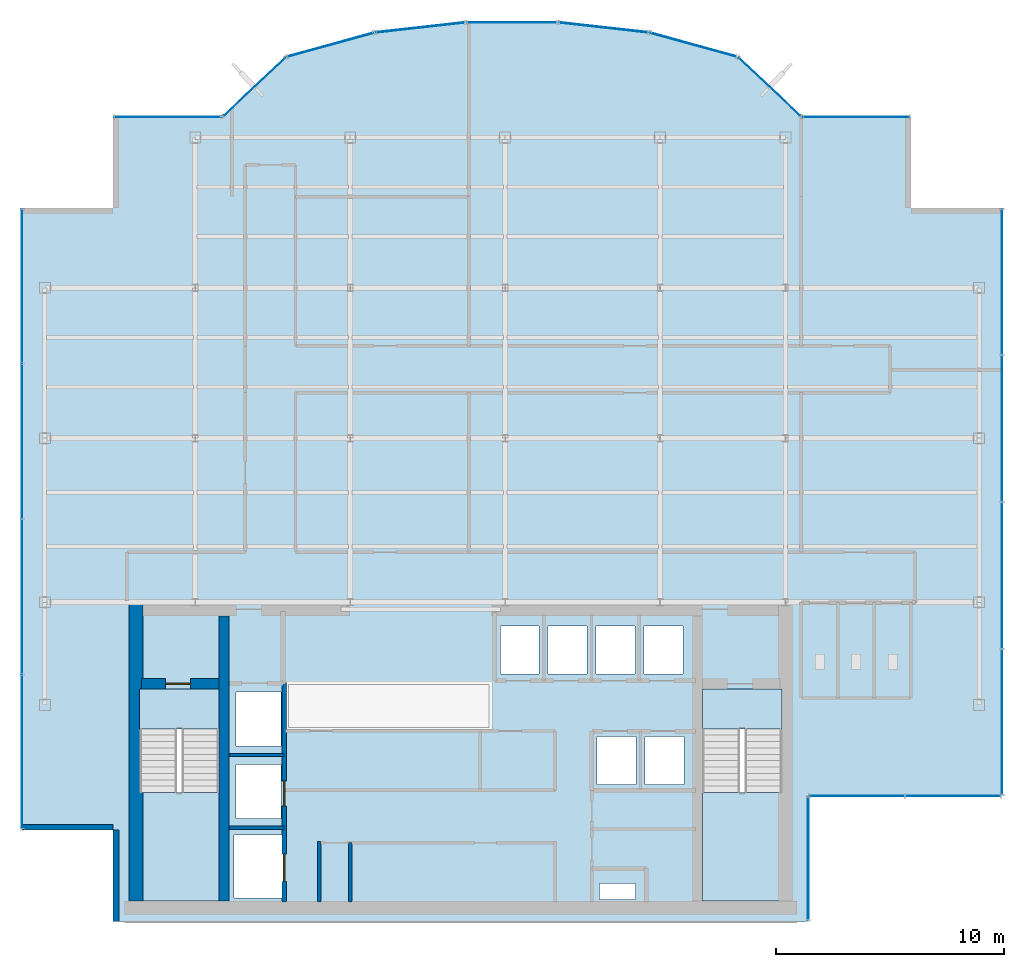
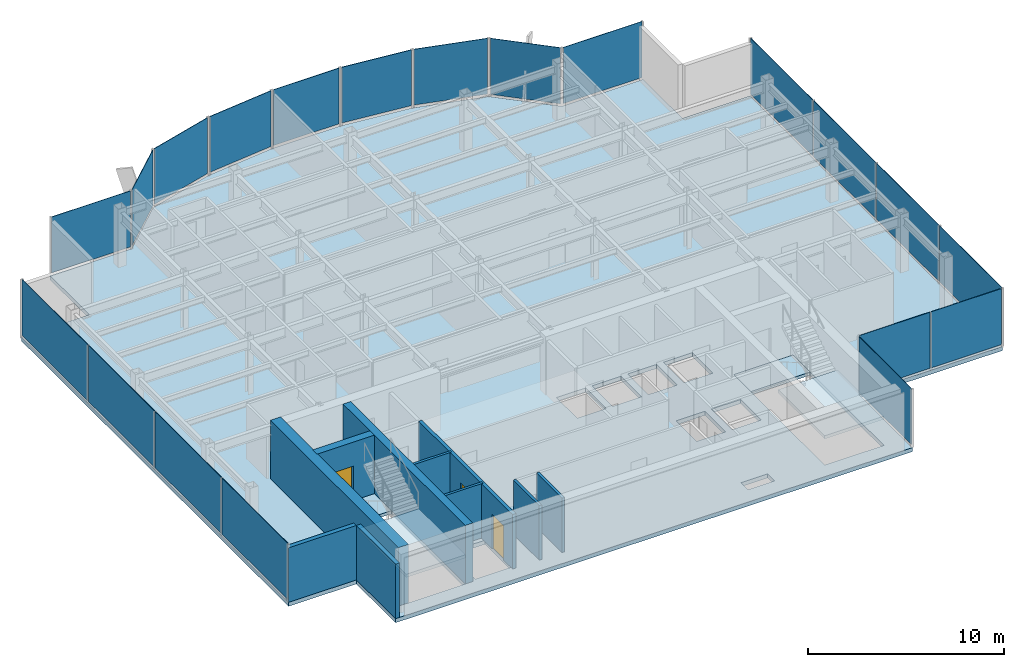
# One storey, part 16 of 22: 20 plates, 10 walls, 5 slabs, 3 doors, 3 openings, 15 elements without a shape of their own.
"""IFC4 building model written with IfcOpenShell, lengths in metres."""

from ifc_helpers import new_model, si_unit, derived_unit, direction, frame, frame_2d, origin, origin_2d, place, context, subcontext, project, spatial, polyline, rectangle, outline, extrude, source, transform, mapped, material, layer, layer_set, type_object, element, fill, aggregate, save


model = new_model("IFC4")

# Units and contexts
model_context = context("Model", 3, precision=1e-05, world=origin(), true_north=direction((0.0, 1.0)))
body_context = subcontext(model_context, "Body", "Model", "MODEL_VIEW")
ifc_project = project(units=[si_unit("LENGTHUNIT", "METRE"), si_unit("AREAUNIT", "SQUARE_METRE"), si_unit("VOLUMEUNIT", "CUBIC_METRE"), si_unit("PLANEANGLEUNIT", "RADIAN"), si_unit("MASSUNIT", "GRAM", prefix="KILO"), derived_unit("THERMALTRANSMITTANCEUNIT", [(si_unit("POWERUNIT", "WATT"), 1), (si_unit("LENGTHUNIT", "METRE"), -2), (si_unit("THERMODYNAMICTEMPERATUREUNIT", "KELVIN"), -1)])], contexts=[model_context])

# Site, building, storey
site_placement = place(None, origin())
site = spatial("IfcSite", under=ifc_project, at=site_placement, CompositionType="ELEMENT")
building_placement = place(site_placement, origin())
building = spatial("IfcBuilding", under=site, at=building_placement, Name="Skarnbrae Concourse Arena and Tower", CompositionType="ELEMENT")
storey_placement = place(building_placement, frame((0.0, 0.0, 210.5)))
storey = spatial("IfcBuildingStorey", under=building, at=storey_placement, Name="L54", CompositionType="ELEMENT", Elevation=210.5)

# Stair, slab
ifc_material_1 = material(Name="Concrete 40 MPa (C40/50)", Category="concrete")
stair_type = type_object("IfcStairType", Name="STAIR-DOGLEG-1650", PredefinedType="HALF_TURN_STAIR", material=ifc_material_1)
stair_1_placement = place(storey_placement, origin())
stair_1 = element("IfcStair", 1, at=stair_1_placement, inside=storey, type_object=stair_type, Name="L54 Protected Exit Stair ST-1", PredefinedType="HALF_TURN_STAIR")
ifc_layer_1 = layer(ifc_material_1, 0.199951171875)
ifc_layer_set_1 = layer_set([ifc_layer_1], Name="Concrete 40 MPa (C40/50)")
slab_type_1 = type_object("IfcSlabType", Name="SLAB-LANDING-200", PredefinedType="LANDING", material=ifc_layer_set_1)
slab_1_placement = place(storey_placement, frame((0.0, 0.0, 1.625)))
slab_1 = element("IfcSlab", 2, at=slab_1_placement, type_object=slab_type_1, Name="ST-1 landing 1", PredefinedType="LANDING", context=body_context, shape_type="SweptSolid", body=[
    extrude(outline(polyline([(5.14990234375, 5.64990234375), (5.14990234375, 0.89990234375), (8.64990234375, 0.89990234375), (8.64990234375, 5.64990234375), (5.14990234375, 5.64990234375)])), origin(), (0.0, 0.0, 1.0), 0.199951171875),
])
aggregate(stair_1, [slab_1])

stair_2_placement = place(storey_placement, origin())
stair_2 = element("IfcStair", 3, at=stair_2_placement, inside=storey, type_object=stair_type, Name="L54 Protected Exit Stair ST-2", PredefinedType="HALF_TURN_STAIR")
slab_2_placement = place(storey_placement, frame((0.0, 0.0, 1.625)))
slab_2 = element("IfcSlab", 4, at=slab_2_placement, type_object=slab_type_1, Name="ST-2 landing 1", PredefinedType="LANDING", context=body_context, shape_type="SweptSolid", body=[
    extrude(outline(polyline([(29.85009765625, 5.64990234375), (29.85009765625, 0.89990234375), (33.35009765625, 0.89990234375), (33.35009765625, 5.64990234375), (29.85009765625, 5.64990234375)])), origin(), (0.0, 0.0, 1.0), 0.199951171875),
])
aggregate(stair_2, [slab_2])

# Slabs
slab_3_placement = place(storey_placement, frame((0.0, 0.0, -0.199951171875)))
element("IfcSlab", 5, at=slab_3_placement, inside=storey, type_object=slab_type_1, Name="L54 Core stair ST1 floor landing", PredefinedType="LANDING", context=body_context, shape_type="SweptSolid", body=[
    extrude(outline(polyline([(5.14990234375, 10.199951171875), (5.14990234375, 8.449951171875), (8.64990234375, 8.449951171875), (8.64990234375, 10.199951171875), (5.14990234375, 10.199951171875)])), origin(), (0.0, 0.0, 1.0), 0.199951171875),
])
slab_4_placement = place(storey_placement, frame((0.0, 0.0, -0.199951171875)))
element("IfcSlab", 6, at=slab_4_placement, inside=storey, type_object=slab_type_1, Name="L54 Core stair ST2 floor landing", PredefinedType="LANDING", context=body_context, shape_type="SweptSolid", body=[
    extrude(outline(polyline([(29.85009765625, 10.199951171875), (29.85009765625, 8.449951171875), (33.35009765625, 8.449951171875), (33.35009765625, 10.199951171875), (29.85009765625, 10.199951171875)])), origin(), (0.0, 0.0, 1.0), 0.199951171875),
])
ifc_layer_2 = layer(ifc_material_1, 0.25)
ifc_layer_set_2 = layer_set([ifc_layer_2], Name="Concrete 40 MPa (C40/50)")
slab_type_2 = type_object("IfcSlabType", Name="SLAB-TOWER-250", PredefinedType="FLOOR", material=ifc_layer_set_2)
slab_5_placement = place(storey_placement, frame((0.0, 0.0, -0.25)))
element("IfcSlab", 7, at=slab_5_placement, inside=storey, type_object=slab_type_2, Name="L54 Structural floor slab", PredefinedType="FLOOR", context=body_context, shape_type="SweptSolid", body=[
    extrude(outline(polyline([(4.0, 0.0), (34.5, 0.0), (34.5, 5.5), (43.0, 5.5), (43.0, 31.300048828125), (39.0, 31.300048828125), (39.0, 35.300048828125), (34.199951171875, 35.300048828125), (31.40966796875, 37.9267578125), (27.52587890625, 38.9970703125), (23.51708984375, 39.44677734375), (19.48291015625, 39.44677734375), (15.47412109375, 38.9970703125), (11.59033203125, 37.9267578125), (8.800048828125, 35.300048828125), (4.0, 35.300048828125), (4.0, 31.300048828125), (0.0, 31.300048828125), (0.0, 4.0), (4.0, 4.0), (4.0, 0.0)]), holes=[polyline([(9.294921875, 1.02001953125), (9.294921875, 3.780029296875), (11.455078125, 3.780029296875), (11.455078125, 1.02001953125), (9.294921875, 1.02001953125)]), polyline([(8.64990234375, 10.199951171875), (8.64990234375, 0.89990234375), (5.14990234375, 0.89990234375), (5.14990234375, 10.199951171875), (8.64990234375, 10.199951171875)]), polyline([(9.39501953125, 6.8798828125), (11.35498046875, 6.8798828125), (11.35498046875, 4.52001953125), (9.39501953125, 4.52001953125), (9.39501953125, 6.8798828125)]), polyline([(9.39501953125, 7.695068359375), (9.39501953125, 10.054931640625), (11.35498046875, 10.054931640625), (11.35498046875, 7.695068359375), (9.39501953125, 7.695068359375)]), polyline([(20.985107421875, 12.955078125), (22.695068359375, 12.955078125), (22.695068359375, 10.844970703125), (20.985107421875, 10.844970703125), (20.985107421875, 12.955078125)]), polyline([(23.0849609375, 12.955078125), (24.794921875, 12.955078125), (24.794921875, 10.844970703125), (23.0849609375, 10.844970703125), (23.0849609375, 12.955078125)]), polyline([(25.35009765625, 0.949951171875), (25.35009765625, 1.669921875), (26.919921875, 1.669921875), (26.919921875, 0.949951171875), (25.35009765625, 0.949951171875)]), polyline([(33.35009765625, 10.199951171875), (33.35009765625, 0.89990234375), (29.85009765625, 0.89990234375), (29.85009765625, 10.199951171875), (33.35009765625, 10.199951171875)]), polyline([(25.235107421875, 8.10498046875), (26.945068359375, 8.10498046875), (26.945068359375, 5.9951171875), (25.235107421875, 5.9951171875), (25.235107421875, 8.10498046875)]), polyline([(27.3349609375, 5.9951171875), (27.3349609375, 8.10498046875), (29.044921875, 8.10498046875), (29.044921875, 5.9951171875), (27.3349609375, 5.9951171875)]), polyline([(25.18505859375, 12.955078125), (26.89501953125, 12.955078125), (26.89501953125, 10.844970703125), (25.18505859375, 10.844970703125), (25.18505859375, 12.955078125)]), polyline([(27.284912109375, 12.955078125), (28.9951171875, 12.955078125), (28.9951171875, 10.844970703125), (27.284912109375, 10.844970703125), (27.284912109375, 12.955078125)])]), origin(), (0.0, 0.0, 1.0), 0.25),
])

# Curtain wall, plate
ifc_material_2 = material(Name="Bronze anodised aluminium 6063-T6", Category="aluminium")
curtain_wall_type_1 = type_object("IfcCurtainWallType", Name="CW-SYS-05-HIGHZONE", PredefinedType="USERDEFINED", material=ifc_material_2)
curtain_wall_1_placement = place(storey_placement, origin())
curtain_wall_1 = element("IfcCurtainWall", 8, at=curtain_wall_1_placement, inside=storey, type_object=curtain_wall_type_1, Name="L54 Unitised curtain wall CW-L54-E02", ObjectType="UNITISED CURTAIN WALL", PredefinedType="USERDEFINED")
ifc_material_3 = material(Name="Low-E triple insulating glass", Category="glass")
ifc_layer_3 = layer(ifc_material_3, 0.030029296875)
ifc_layer_set_3 = layer_set([ifc_layer_3], Name="Low-E triple insulating glass")
plate_type_1 = type_object("IfcPlateType", Name="CWP-CW-05", PredefinedType="CURTAIN_PANEL", material=ifc_layer_set_3)
shared_shape_1 = source(origin(), body_context, "Body", "SweptSolid", [
    extrude(rectangle(XDim=5.35009765625, YDim=0.030029296875, at=origin_2d()), origin(), (0.0, 0.0, 1.0), 3.5),
])
plate_1_placement = place(storey_placement, frame((34.5, 2.75, 0.14990234375), z_axis=(0.0, 0.0, 1.0), x_axis=(0.0, 1.0, 0.0)))
plate_1 = element("IfcPlate", 9, at=plate_1_placement, type_object=plate_type_1, Name="CW-L54-E02 Low-E Glazing Panel 1", PredefinedType="CURTAIN_PANEL", context=body_context, shape_type="MappedRepresentation", body=[
    mapped(shared_shape_1, transform((0.0, 0.0, 0.0))),
])
aggregate(curtain_wall_1, [plate_1])

# Curtain wall, plates
curtain_wall_2_placement = place(storey_placement, origin())
curtain_wall_2 = element("IfcCurtainWall", 10, at=curtain_wall_2_placement, inside=storey, type_object=curtain_wall_type_1, Name="L54 Unitised curtain wall CW-L54-E03", ObjectType="UNITISED CURTAIN WALL", PredefinedType="USERDEFINED")
shared_shape_2 = source(origin(), body_context, "Body", "SweptSolid", [
    extrude(rectangle(XDim=4.137451171875, YDim=0.030029296875, at=origin_2d()), origin(), (0.0, 0.0, 1.0), 3.5),
])
plate_2_placement = place(storey_placement, frame((36.643798828125, 5.5, 0.14990234375), z_axis=(0.0, 0.0, 1.0), x_axis=(1.0, 0.0, 0.0)))
plate_2 = element("IfcPlate", 11, at=plate_2_placement, type_object=plate_type_1, Name="CW-L54-E03 Low-E Glazing Panel 1", PredefinedType="CURTAIN_PANEL", context=body_context, shape_type="MappedRepresentation", body=[
    mapped(shared_shape_2, transform((0.0, 0.0, 0.0))),
])
plate_3_placement = place(storey_placement, frame((40.856201171875, 5.5, 0.14990234375), z_axis=(0.0, 0.0, 1.0), x_axis=(1.0, 0.0, 0.0)))
plate_3 = element("IfcPlate", 12, at=plate_3_placement, type_object=plate_type_1, Name="CW-L54-E03 Low-E Glazing Panel 2", PredefinedType="CURTAIN_PANEL", context=body_context, shape_type="MappedRepresentation", body=[
    mapped(shared_shape_2, transform((0.0, 0.0, 0.0))),
])
aggregate(curtain_wall_2, [plate_2, plate_3])

# Curtain wall, plate
curtain_wall_3_placement = place(storey_placement, origin())
curtain_wall_3 = element("IfcCurtainWall", 13, at=curtain_wall_3_placement, inside=storey, type_object=curtain_wall_type_1, Name="L54 Unitised curtain wall CW-L54-E07", ObjectType="UNITISED CURTAIN WALL", PredefinedType="USERDEFINED")
shared_shape_3 = source(origin(), body_context, "Body", "SweptSolid", [
    extrude(rectangle(XDim=4.64990234375, YDim=0.030029296875, at=origin_2d()), origin(), (0.0, 0.0, 1.0), 3.5),
])
plate_4_placement = place(storey_placement, frame((36.60009765625, 35.300048828125, 0.14990234375), z_axis=(0.0, 0.0, 1.0), x_axis=(-1.0, 0.0, 0.0)))
plate_4 = element("IfcPlate", 14, at=plate_4_placement, type_object=plate_type_1, Name="CW-L54-E07 Low-E Glazing Panel 1", PredefinedType="CURTAIN_PANEL", context=body_context, shape_type="MappedRepresentation", body=[
    mapped(shared_shape_3, transform((0.0, 0.0, 0.0))),
])
aggregate(curtain_wall_3, [plate_4])

curtain_wall_4_placement = place(storey_placement, origin())
curtain_wall_4 = element("IfcCurtainWall", 15, at=curtain_wall_4_placement, inside=storey, type_object=curtain_wall_type_1, Name="L54 Unitised curtain wall CW-L54-E15", ObjectType="UNITISED CURTAIN WALL", PredefinedType="USERDEFINED")
plate_5_placement = place(storey_placement, frame((6.39990234375, 35.300048828125, 0.14990234375), z_axis=(0.0, 0.0, 1.0), x_axis=(-1.0, 0.0, 0.0)))
plate_5 = element("IfcPlate", 16, at=plate_5_placement, type_object=plate_type_1, Name="CW-L54-E15 Low-E Glazing Panel 1", PredefinedType="CURTAIN_PANEL", context=body_context, shape_type="MappedRepresentation", body=[
    mapped(shared_shape_3, transform((0.0, 0.0, 0.0))),
])
aggregate(curtain_wall_4, [plate_5])

curtain_wall_5_placement = place(storey_placement, origin())
curtain_wall_5 = element("IfcCurtainWall", 17, at=curtain_wall_5_placement, inside=storey, type_object=curtain_wall_type_1, Name="L54 Unitised curtain wall CW-L54-E08", ObjectType="UNITISED CURTAIN WALL", PredefinedType="USERDEFINED")
shared_shape_4 = source(origin(), body_context, "Body", "SweptSolid", [
    extrude(rectangle(XDim=3.68212890625, YDim=0.030029296875, at=origin_2d()), origin(), (0.0, 0.0, 1.0), 3.5),
])
plate_6_placement = place(storey_placement, frame((32.804931640625, 36.61328125, 0.14990234375), z_axis=(0.0, 0.0, 1.0), x_axis=(-0.728130555214, 0.685438468838, 0.0)))
plate_6 = element("IfcPlate", 18, at=plate_6_placement, type_object=plate_type_1, Name="CW-L54-E08 Low-E Glazing Panel 1", PredefinedType="CURTAIN_PANEL", context=body_context, shape_type="MappedRepresentation", body=[
    mapped(shared_shape_4, transform((0.0, 0.0, 0.0))),
])
aggregate(curtain_wall_5, [plate_6])

curtain_wall_6_placement = place(storey_placement, origin())
curtain_wall_6 = element("IfcCurtainWall", 19, at=curtain_wall_6_placement, inside=storey, type_object=curtain_wall_type_1, Name="L54 Unitised curtain wall CW-L54-E14", ObjectType="UNITISED CURTAIN WALL", PredefinedType="USERDEFINED")
plate_7_placement = place(storey_placement, frame((10.195068359375, 36.61328125, 0.14990234375), z_axis=(0.0, 0.0, 1.0), x_axis=(-0.728130555214, -0.685438468838, 0.0)))
plate_7 = element("IfcPlate", 20, at=plate_7_placement, type_object=plate_type_1, Name="CW-L54-E14 Low-E Glazing Panel 1", PredefinedType="CURTAIN_PANEL", context=body_context, shape_type="MappedRepresentation", body=[
    mapped(shared_shape_4, transform((0.0, 0.0, 0.0))),
])
aggregate(curtain_wall_6, [plate_7])

# Curtain wall, plates
curtain_wall_7_placement = place(storey_placement, origin())
curtain_wall_7 = element("IfcCurtainWall", 21, at=curtain_wall_7_placement, inside=storey, type_object=curtain_wall_type_1, Name="L54 Unitised curtain wall CW-L54-E18", ObjectType="UNITISED CURTAIN WALL", PredefinedType="USERDEFINED")
shared_shape_5 = source(origin(), body_context, "Body", "SweptSolid", [
    extrude(rectangle(XDim=6.71240234375, YDim=0.030029296875, at=origin_2d()), origin(), (0.0, 0.0, 1.0), 3.5),
])
plate_8_placement = place(storey_placement, frame((0.0, 27.86865234375, 0.14990234375), z_axis=(0.0, 0.0, 1.0), x_axis=(0.0, -1.0, 0.0)))
plate_8 = element("IfcPlate", 22, at=plate_8_placement, type_object=plate_type_1, Name="CW-L54-E18 Low-E Glazing Panel 1", PredefinedType="CURTAIN_PANEL", context=body_context, shape_type="MappedRepresentation", body=[
    mapped(shared_shape_5, transform((0.0, 0.0, 0.0))),
])
plate_9_placement = place(storey_placement, frame((0.0, 7.431396484375, 0.14990234375), z_axis=(0.0, 0.0, 1.0), x_axis=(0.0, -1.0, 0.0)))
plate_9 = element("IfcPlate", 23, at=plate_9_placement, type_object=plate_type_1, Name="CW-L54-E18 Low-E Glazing Panel 4", PredefinedType="CURTAIN_PANEL", context=body_context, shape_type="MappedRepresentation", body=[
    mapped(shared_shape_5, transform((0.0, 0.0, 0.0))),
])
shared_shape_6 = source(origin(), body_context, "Body", "SweptSolid", [
    extrude(rectangle(XDim=6.75, YDim=0.030029296875, at=origin_2d()), origin(), (0.0, 0.0, 1.0), 3.5),
])
plate_10_placement = place(storey_placement, frame((0.0, 21.0625, 0.14990234375), z_axis=(0.0, 0.0, 1.0), x_axis=(0.0, -1.0, 0.0)))
plate_10 = element("IfcPlate", 24, at=plate_10_placement, type_object=plate_type_1, Name="CW-L54-E18 Low-E Glazing Panel 2", PredefinedType="CURTAIN_PANEL", context=body_context, shape_type="MappedRepresentation", body=[
    mapped(shared_shape_6, transform((0.0, 0.0, 0.0))),
])
plate_11_placement = place(storey_placement, frame((0.0, 14.237548828125, 0.14990234375), z_axis=(0.0, 0.0, 1.0), x_axis=(0.0, -1.0, 0.0)))
plate_11 = element("IfcPlate", 25, at=plate_11_placement, type_object=plate_type_1, Name="CW-L54-E18 Low-E Glazing Panel 3", PredefinedType="CURTAIN_PANEL", context=body_context, shape_type="MappedRepresentation", body=[
    mapped(shared_shape_6, transform((0.0, 0.0, 0.0))),
])
aggregate(curtain_wall_7, [plate_8, plate_10, plate_11, plate_9])

curtain_wall_8_placement = place(storey_placement, origin())
curtain_wall_8 = element("IfcCurtainWall", 26, at=curtain_wall_8_placement, inside=storey, type_object=curtain_wall_type_1, Name="L54 Unitised curtain wall CW-L54-E04", ObjectType="UNITISED CURTAIN WALL", PredefinedType="USERDEFINED")
shared_shape_7 = source(origin(), body_context, "Body", "SweptSolid", [
    extrude(rectangle(XDim=6.33740234375, YDim=0.030029296875, at=origin_2d()), origin(), (0.0, 0.0, 1.0), 3.5),
])
plate_12_placement = place(storey_placement, frame((43.0, 8.743896484375, 0.14990234375), z_axis=(0.0, 0.0, 1.0), x_axis=(0.0, 1.0, 0.0)))
plate_12 = element("IfcPlate", 27, at=plate_12_placement, type_object=plate_type_1, Name="CW-L54-E04 Low-E Glazing Panel 1", PredefinedType="CURTAIN_PANEL", context=body_context, shape_type="MappedRepresentation", body=[
    mapped(shared_shape_7, transform((0.0, 0.0, 0.0))),
])
plate_13_placement = place(storey_placement, frame((43.0, 28.05615234375, 0.14990234375), z_axis=(0.0, 0.0, 1.0), x_axis=(0.0, 1.0, 0.0)))
plate_13 = element("IfcPlate", 28, at=plate_13_placement, type_object=plate_type_1, Name="CW-L54-E04 Low-E Glazing Panel 4", PredefinedType="CURTAIN_PANEL", context=body_context, shape_type="MappedRepresentation", body=[
    mapped(shared_shape_7, transform((0.0, 0.0, 0.0))),
])
shared_shape_8 = source(origin(), body_context, "Body", "SweptSolid", [
    extrude(rectangle(XDim=6.375, YDim=0.030029296875, at=origin_2d()), origin(), (0.0, 0.0, 1.0), 3.5),
])
plate_14_placement = place(storey_placement, frame((43.0, 15.175048828125, 0.14990234375), z_axis=(0.0, 0.0, 1.0), x_axis=(0.0, 1.0, 0.0)))
plate_14 = element("IfcPlate", 29, at=plate_14_placement, type_object=plate_type_1, Name="CW-L54-E04 Low-E Glazing Panel 2", PredefinedType="CURTAIN_PANEL", context=body_context, shape_type="MappedRepresentation", body=[
    mapped(shared_shape_8, transform((0.0, 0.0, 0.0))),
])
plate_15_placement = place(storey_placement, frame((43.0, 21.625, 0.14990234375), z_axis=(0.0, 0.0, 1.0), x_axis=(0.0, 1.0, 0.0)))
plate_15 = element("IfcPlate", 30, at=plate_15_placement, type_object=plate_type_1, Name="CW-L54-E04 Low-E Glazing Panel 3", PredefinedType="CURTAIN_PANEL", context=body_context, shape_type="MappedRepresentation", body=[
    mapped(shared_shape_8, transform((0.0, 0.0, 0.0))),
])
aggregate(curtain_wall_8, [plate_12, plate_14, plate_15, plate_13])

# Curtain wall, plate
curtain_wall_type_2 = type_object("IfcCurtainWallType", Name="CW-SYS-03-PORTAL", PredefinedType="USERDEFINED", material=ifc_material_2)
curtain_wall_9_placement = place(storey_placement, origin())
curtain_wall_9 = element("IfcCurtainWall", 31, at=curtain_wall_9_placement, inside=storey, type_object=curtain_wall_type_2, Name="L54 Unitised curtain wall CW-L54-E09", ObjectType="UNITISED CURTAIN WALL", PredefinedType="USERDEFINED")
ifc_layer_4 = layer(ifc_material_3, 0.033935546875)
ifc_layer_set_4 = layer_set([ifc_layer_4], Name="Low-E triple insulating glass")
plate_type_2 = type_object("IfcPlateType", Name="CWP-CW-03", PredefinedType="CURTAIN_PANEL", material=ifc_layer_set_4)
shared_shape_9 = source(origin(), body_context, "Body", "SweptSolid", [
    extrude(rectangle(XDim=3.86865234375, YDim=0.033935546875, at=origin_2d()), origin(), (0.0, 0.0, 1.0), 3.47998046875),
])
plate_16_placement = place(storey_placement, frame((29.4677734375, 38.4619140625, 0.169921875), z_axis=(0.0, 0.0, 1.0), x_axis=(-0.964057388766, 0.265694093207, 0.0)))
plate_16 = element("IfcPlate", 32, at=plate_16_placement, type_object=plate_type_2, Name="CW-L54-E09 Low-E Glazing Panel 1", PredefinedType="CURTAIN_PANEL", context=body_context, shape_type="MappedRepresentation", body=[
    mapped(shared_shape_9, transform((0.0, 0.0, 0.0))),
])
aggregate(curtain_wall_9, [plate_16])

curtain_wall_10_placement = place(storey_placement, origin())
curtain_wall_10 = element("IfcCurtainWall", 33, at=curtain_wall_10_placement, inside=storey, type_object=curtain_wall_type_2, Name="L54 Unitised curtain wall CW-L54-E13", ObjectType="UNITISED CURTAIN WALL", PredefinedType="USERDEFINED")
plate_17_placement = place(storey_placement, frame((13.5322265625, 38.4619140625, 0.169921875), z_axis=(0.0, 0.0, 1.0), x_axis=(-0.964057388766, -0.265694093207, 0.0)))
plate_17 = element("IfcPlate", 34, at=plate_17_placement, type_object=plate_type_2, Name="CW-L54-E13 Low-E Glazing Panel 1", PredefinedType="CURTAIN_PANEL", context=body_context, shape_type="MappedRepresentation", body=[
    mapped(shared_shape_9, transform((0.0, 0.0, 0.0))),
])
aggregate(curtain_wall_10, [plate_17])

curtain_wall_11_placement = place(storey_placement, origin())
curtain_wall_11 = element("IfcCurtainWall", 35, at=curtain_wall_11_placement, inside=storey, type_object=curtain_wall_type_2, Name="L54 Unitised curtain wall CW-L54-E10", ObjectType="UNITISED CURTAIN WALL", PredefinedType="USERDEFINED")
shared_shape_10 = source(origin(), body_context, "Body", "SweptSolid", [
    extrude(rectangle(XDim=3.873779296875, YDim=0.033935546875, at=origin_2d()), origin(), (0.0, 0.0, 1.0), 3.47998046875),
])
plate_18_placement = place(storey_placement, frame((25.521484375, 39.221923828125, 0.169921875), z_axis=(0.0, 0.0, 1.0), x_axis=(-0.993768891873, 0.111460259941, 0.0)))
plate_18 = element("IfcPlate", 36, at=plate_18_placement, type_object=plate_type_2, Name="CW-L54-E10 Low-E Glazing Panel 1", PredefinedType="CURTAIN_PANEL", context=body_context, shape_type="MappedRepresentation", body=[
    mapped(shared_shape_10, transform((0.0, 0.0, 0.0))),
])
aggregate(curtain_wall_11, [plate_18])

curtain_wall_12_placement = place(storey_placement, origin())
curtain_wall_12 = element("IfcCurtainWall", 37, at=curtain_wall_12_placement, inside=storey, type_object=curtain_wall_type_2, Name="L54 Unitised curtain wall CW-L54-E12", ObjectType="UNITISED CURTAIN WALL", PredefinedType="USERDEFINED")
plate_19_placement = place(storey_placement, frame((17.478515625, 39.221923828125, 0.169921875), z_axis=(0.0, 0.0, 1.0), x_axis=(-0.993768891873, -0.111460259941, 0.0)))
plate_19 = element("IfcPlate", 38, at=plate_19_placement, type_object=plate_type_2, Name="CW-L54-E12 Low-E Glazing Panel 1", PredefinedType="CURTAIN_PANEL", context=body_context, shape_type="MappedRepresentation", body=[
    mapped(shared_shape_10, transform((0.0, 0.0, 0.0))),
])
aggregate(curtain_wall_12, [plate_19])

curtain_wall_13_placement = place(storey_placement, origin())
curtain_wall_13 = element("IfcCurtainWall", 39, at=curtain_wall_13_placement, inside=storey, type_object=curtain_wall_type_2, Name="L54 Unitised curtain wall CW-L54-E11", ObjectType="UNITISED CURTAIN WALL", PredefinedType="USERDEFINED")
shared_shape_11 = source(origin(), body_context, "Body", "SweptSolid", [
    extrude(rectangle(XDim=3.87451171875, YDim=0.033935546875, at=origin_2d()), origin(), (0.0, 0.0, 1.0), 3.47998046875),
])
plate_20_placement = place(storey_placement, frame((21.5, 39.44677734375, 0.169921875), z_axis=(0.0, 0.0, 1.0), x_axis=(-1.0, 0.0, 0.0)))
plate_20 = element("IfcPlate", 40, at=plate_20_placement, type_object=plate_type_2, Name="CW-L54-E11 Low-E Glazing Panel 1", PredefinedType="CURTAIN_PANEL", context=body_context, shape_type="MappedRepresentation", body=[
    mapped(shared_shape_11, transform((0.0, 0.0, 0.0))),
])
aggregate(curtain_wall_13, [plate_20])

# Wall, opening, door
ifc_material_4 = material(Name="Concrete 50 MPa (C50/60)", Category="concrete")
ifc_layer_5 = layer(ifc_material_4, 0.449951171875)
ifc_layer_set_5 = layer_set([ifc_layer_5], Name="Concrete 50 MPa (C50/60)")
wall_type_1 = type_object("IfcWallType", Name="WALL-CORE-450-C50", PredefinedType="SHEAR", material=ifc_layer_set_5)
shared_shape_12 = source(origin(), body_context, "Body", "SweptSolid", [
    extrude(rectangle(XDim=3.389892578125, YDim=0.449951171875, at=frame_2d((1.69482421875, 0.0))), origin(), (0.0, 0.0, 1.0), 3.64990234375),
])
wall_1_placement = place(storey_placement, frame((5.25, 10.419921875, 0.0), z_axis=(0.0, 0.0, 1.0), x_axis=(1.0, 0.0, 0.0)))
wall_1 = element("IfcWall", 41, at=wall_1_placement, inside=storey, type_object=wall_type_1, Name="L54 Rear core shear wall CW-ST1-N", PredefinedType="SHEAR", context=body_context, shape_type="MappedRepresentation", body=[
    mapped(shared_shape_12, transform((0.0, 0.0, 0.0))),
])
opening_1_placement = place(wall_1_placement, frame((1.050048828125, 0.0, 0.0)))
opening_1 = element("IfcOpeningElement", 42, at=opening_1_placement, cuts=wall_1, Name="Opening DT-03", PredefinedType="OPENING", context=body_context, shape_type="SweptSolid", body=[
    extrude(rectangle(XDim=1.10009765625, YDim=2.14990234375, at=frame_2d((0.550048828125, 1.074951171875))), frame((0.0, 0.23486328125, 0.0), z_axis=(0.0, -1.0, 0.0), x_axis=(1.0, 0.0, 0.0)), (0.0, 0.0, 1.0), 0.469970703125),
])
ifc_material_5 = material(Name="Steel CSA G40.21 350W", Category="steel")
door_type_1 = type_object("IfcDoorType", Name="DOOR-FIRE-1100-90M", OperationType="NOTDEFINED", PredefinedType="DOOR", material=ifc_material_5)
shared_shape_13 = source(origin(), body_context, "Body", "SweptSolid", [
    extrude(rectangle(XDim=1.10009765625, YDim=2.14990234375, at=frame_2d((0.550048828125, 1.074951171875))), frame((0.0, 0.02490234375, 0.0), z_axis=(0.0, -1.0, 0.0), x_axis=(1.0, 0.0, 0.0)), (0.0, 0.0, 1.0), 0.050048828125),
])
door_1_placement = place(opening_1_placement, frame((1.10009765625, 0.0, 0.0), z_axis=(0.0, 0.0, 1.0), x_axis=(-1.0, 0.0, 0.0)))
door_1 = element("IfcDoor", 43, at=door_1_placement, inside=storey, type_object=door_type_1, Name="D-1642 Stair ST-1 Door", OperationType="SINGLE_SWING_LEFT", OverallHeight=2.14990234375, OverallWidth=1.10009765625, PredefinedType="DOOR", context=body_context, shape_type="MappedRepresentation", body=[
    mapped(shared_shape_13, transform((0.0, 0.0, 0.0))),
])
fill(opening_1, door_1)

# Walls
ifc_layer_6 = layer(ifc_material_4, 0.60009765625)
ifc_layer_set_6 = layer_set([ifc_layer_6], Name="Concrete 50 MPa (C50/60)")
wall_type_2 = type_object("IfcWallType", Name="WALL-CORE-600-C50", PredefinedType="SHEAR", material=ifc_layer_set_6)
shared_shape_14 = source(origin(), body_context, "Body", "SweptSolid", [
    extrude(rectangle(XDim=13.10009765625, YDim=0.60009765625, at=frame_2d((6.550048828125, 0.0))), origin(), (0.0, 0.0, 1.0), 3.64990234375),
])
wall_2_placement = place(storey_placement, frame((5.0, 0.89990234375, 0.0), z_axis=(0.0, 0.0, 1.0), x_axis=(0.0, 1.0, 0.0)))
element("IfcWall", 44, at=wall_2_placement, inside=storey, type_object=wall_type_2, Name="L54 Rear core shear wall CW-W", PredefinedType="SHEAR", context=body_context, shape_type="MappedRepresentation", body=[
    mapped(shared_shape_14, transform((0.0, 0.0, 0.0))),
])
shared_shape_15 = source(origin(), body_context, "Body", "SweptSolid", [
    extrude(rectangle(XDim=12.5, YDim=0.449951171875, at=frame_2d((6.25, 0.0))), origin(), (0.0, 0.0, 1.0), 3.64990234375),
])
wall_3_placement = place(storey_placement, frame((8.864990234375, 0.89990234375, 0.0), z_axis=(0.0, 0.0, 1.0), x_axis=(0.0, 1.0, 0.0)))
element("IfcWall", 45, at=wall_3_placement, inside=storey, type_object=wall_type_1, Name="L54 Rear core shear wall CW-WEB-W", PredefinedType="SHEAR", context=body_context, shape_type="MappedRepresentation", body=[
    mapped(shared_shape_15, transform((0.0, 0.0, 0.0))),
])
ifc_material_6 = material(Name="Precast concrete 40 MPa (C40/50)", Category="concrete")
ifc_layer_7 = layer(ifc_material_6, 0.25)
ifc_layer_set_7 = layer_set([ifc_layer_7], Name="Precast concrete 40 MPa (C40/50)")
wall_type_3 = type_object("IfcWallType", Name="WALL-EXT-SPANDREL-250", PredefinedType="STANDARD", material=ifc_layer_set_7)
shared_shape_16 = source(origin(), body_context, "Body", "SweptSolid", [
    extrude(rectangle(XDim=4.0, YDim=0.25, at=frame_2d((2.0, 0.0))), origin(), (0.0, 0.0, 1.0), 3.39990234375),
])
for number, where, z_axis, x_axis, name in (
    (46, (0.0, 4.125, 0.0), (0.0, 0.0, 1.0), (1.0, 0.0, 0.0), "L54 Notched corner insulated return wall 19"),
    (47, (4.125, 4.0, 0.0), (0.0, 0.0, 1.0), (0.0, -1.0, 0.0), "L54 Notched corner insulated return wall 20"),
):
    element("IfcWall", number, at=place(storey_placement, frame(where, z_axis=z_axis, x_axis=x_axis)), inside=storey, type_object=wall_type_3, Name=name, PredefinedType="STANDARD", context=body_context, shape_type="MappedRepresentation", body=[
        mapped(shared_shape_16, transform((0.0, 0.0, 0.0))),
    ])

# Wall, openings, doors
ifc_material_7 = material(Name="Gypsum board on cold-formed steel studs", Category="steel")
ifc_layer_8 = layer(ifc_material_7, 0.199951171875)
ifc_layer_set_8 = layer_set([ifc_layer_8], Name="Gypsum board on cold-formed steel studs")
wall_type_4 = type_object("IfcWallType", Name="WALL-PART-200-2HR", PredefinedType="PARTITIONING", material=ifc_layer_set_8)
shared_shape_17 = source(origin(), body_context, "Body", "SweptSolid", [
    extrude(rectangle(XDim=9.599853515625, YDim=0.199951171875, at=frame_2d((4.7998046875, 0.0))), origin(), (0.0, 0.0, 1.0), 3.39990234375),
])
wall_4_placement = place(storey_placement, frame((11.5, 0.85009765625, 0.0), z_axis=(0.0, 0.0, 1.0), x_axis=(0.0, 1.0, 0.0)))
wall_4 = element("IfcWall", 48, at=wall_4_placement, inside=storey, type_object=wall_type_4, Name="L54 Interior partition wall W-L54-FL-E", PredefinedType="PARTITIONING", context=body_context, shape_type="MappedRepresentation", body=[
    mapped(shared_shape_17, transform((0.0, 0.0, 0.0))),
])
opening_2_placement = place(wall_4_placement, frame((4.199951171875, 0.0, 0.0)))
opening_2 = element("IfcOpeningElement", 49, at=opening_2_placement, cuts=wall_4, Name="Opening LD-01", PredefinedType="OPENING", context=body_context, shape_type="SweptSolid", body=[
    extrude(rectangle(XDim=1.10009765625, YDim=2.14990234375, at=frame_2d((0.550048828125, 1.074951171875))), frame((0.0, 0.10986328125, 0.0), z_axis=(0.0, -1.0, 0.0), x_axis=(1.0, 0.0, 0.0)), (0.0, 0.0, 1.0), 0.219970703125),
])
opening_3_placement = place(wall_4_placement, frame((0.89990234375, 0.0, 0.0)))
opening_3 = element("IfcOpeningElement", 50, at=opening_3_placement, cuts=wall_4, Name="Opening LD-02", PredefinedType="OPENING", context=body_context, shape_type="SweptSolid", body=[
    extrude(rectangle(XDim=1.199951171875, YDim=2.14990234375, at=frame_2d((0.60009765625, 1.074951171875))), frame((0.0, 0.10986328125, 0.0), z_axis=(0.0, -1.0, 0.0), x_axis=(1.0, 0.0, 0.0)), (0.0, 0.0, 1.0), 0.219970703125),
])
door_type_2 = type_object("IfcDoorType", Name="DOOR-LIFT-SLIDE-1100", OperationType="SLIDING_TO_LEFT", PredefinedType="DOOR", material=ifc_material_5)
door_2_placement = place(opening_2_placement, frame((1.10009765625, 0.0, 0.0), z_axis=(0.0, 0.0, 1.0), x_axis=(-1.0, 0.0, 0.0)))
door_2 = element("IfcDoor", 51, at=door_2_placement, inside=storey, type_object=door_type_2, Name="D-1647 Firefighting Lift Landing Door FL-02", OperationType="SLIDING_TO_LEFT", OverallHeight=2.14990234375, OverallWidth=1.10009765625, PredefinedType="DOOR", context=body_context, shape_type="MappedRepresentation", body=[
    mapped(shared_shape_13, transform((0.0, 0.0, 0.0))),
])
fill(opening_2, door_2)
door_type_3 = type_object("IfcDoorType", Name="DOOR-LIFT-SLIDE-1200", OperationType="SLIDING_TO_LEFT", PredefinedType="DOOR", material=ifc_material_5)
shared_shape_18 = source(origin(), body_context, "Body", "SweptSolid", [
    extrude(rectangle(XDim=1.199951171875, YDim=2.14990234375, at=frame_2d((0.60009765625, 1.074951171875))), frame((0.0, 0.02490234375, 0.0), z_axis=(0.0, -1.0, 0.0), x_axis=(1.0, 0.0, 0.0)), (0.0, 0.0, 1.0), 0.050048828125),
])
door_3_placement = place(opening_3_placement, frame((1.199951171875, 0.0, 0.0), z_axis=(0.0, 0.0, 1.0), x_axis=(-1.0, 0.0, 0.0)))
door_3 = element("IfcDoor", 52, at=door_3_placement, inside=storey, type_object=door_type_3, Name="D-1648 Service Lift Landing Door SV-01", OperationType="SLIDING_TO_LEFT", OverallHeight=2.14990234375, OverallWidth=1.199951171875, PredefinedType="DOOR", context=body_context, shape_type="MappedRepresentation", body=[
    mapped(shared_shape_18, transform((0.0, 0.0, 0.0))),
])
fill(opening_3, door_3)

# Walls
ifc_layer_9 = layer(ifc_material_7, 0.14990234375)
ifc_layer_set_9 = layer_set([ifc_layer_9], Name="Gypsum board on cold-formed steel studs")
wall_type_5 = type_object("IfcWallType", Name="WALL-PART-150", PredefinedType="PARTITIONING", material=ifc_layer_set_9)
shared_shape_19 = source(origin(), body_context, "Body", "SweptSolid", [
    extrude(rectangle(XDim=2.39990234375, YDim=0.14990234375, at=frame_2d((1.199951171875, 0.0))), origin(), (0.0, 0.0, 1.0), 3.39990234375),
])
for number, where, z_axis, x_axis, name in (
    (53, (9.10009765625, 4.10009765625, 0.0), (0.0, 0.0, 1.0), (1.0, 0.0, 0.0), "L54 Interior partition wall W-L54-FL-D1"),
    (54, (9.10009765625, 7.300048828125, 0.0), (0.0, 0.0, 1.0), (1.0, 0.0, 0.0), "L54 Interior partition wall W-L54-FL-D2"),
):
    element("IfcWall", number, at=place(storey_placement, frame(where, z_axis=z_axis, x_axis=x_axis)), inside=storey, type_object=wall_type_5, Name=name, PredefinedType="PARTITIONING", context=body_context, shape_type="MappedRepresentation", body=[
        mapped(shared_shape_19, transform((0.0, 0.0, 0.0))),
    ])
shared_shape_20 = source(origin(), body_context, "Body", "SweptSolid", [
    extrude(rectangle(XDim=2.599853515625, YDim=0.14990234375, at=frame_2d((1.2998046875, 0.0))), origin(), (0.0, 0.0, 1.0), 3.39990234375),
])
wall_5_placement = place(storey_placement, frame((14.39990234375, 0.85009765625, 0.0), z_axis=(0.0, 0.0, 1.0), x_axis=(0.0, 1.0, 0.0)))
element("IfcWall", 55, at=wall_5_placement, inside=storey, type_object=wall_type_5, Name="L54 Interior partition wall W-L54-B1M-C1", PredefinedType="PARTITIONING", context=body_context, shape_type="MappedRepresentation", body=[
    mapped(shared_shape_20, transform((0.0, 0.0, 0.0))),
])
ifc_layer_10 = layer(ifc_material_7, 0.14990234375)
ifc_layer_set_10 = layer_set([ifc_layer_10], Name="Gypsum board on cold-formed steel studs")
wall_type_6 = type_object("IfcWallType", Name="WALL-PART-150-1HR", PredefinedType="PARTITIONING", material=ifc_layer_set_10)
shared_shape_21 = source(origin(), body_context, "Body", "SweptSolid", [
    extrude(rectangle(XDim=2.64990234375, YDim=0.14990234375, at=frame_2d((1.324951171875, 0.0))), origin(), (0.0, 0.0, 1.0), 3.39990234375),
])
wall_6_placement = place(storey_placement, frame((13.050048828125, 0.85009765625, 0.0), z_axis=(0.0, 0.0, 1.0), x_axis=(0.0, 1.0, 0.0)))
element("IfcWall", 56, at=wall_6_placement, inside=storey, type_object=wall_type_6, Name="L54 Interior partition wall W-L54-B1M-W", PredefinedType="PARTITIONING", context=body_context, shape_type="MappedRepresentation", body=[
    mapped(shared_shape_21, transform((0.0, 0.0, 0.0))),
])

save(model, "model.ifc")
